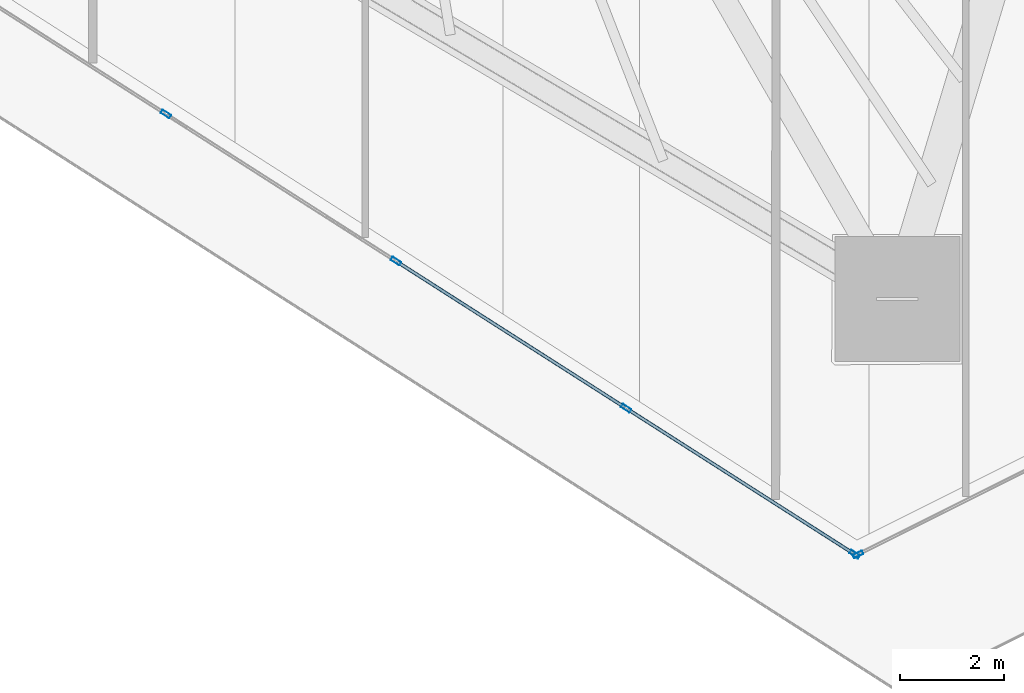
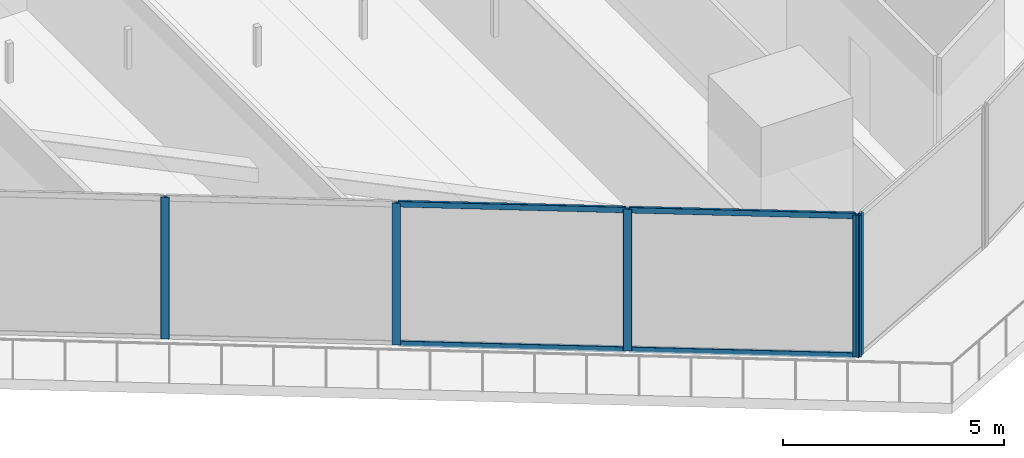
# One storey, part 6 of 47: 9 members, 2 elements without a shape of their own.
"""IFC4 building model written with IfcOpenShell, lengths in metres."""

from ifc_helpers import new_model, si_unit, direction, frame, origin, origin_2d, place, context, subcontext, project, spatial, hollow_rectangle, extrude, material, layer, layer_set, material_profile, profile_set, type_object, element, aggregate, save


model = new_model("IFC4")

# Units and contexts
model_context = context("Model", 3, precision=1e-05, world=origin(), true_north=direction((0.0, 1.0)))
body_context = subcontext(model_context, "Body", "Model", "MODEL_VIEW")
ifc_project = project(units=[si_unit("LENGTHUNIT", "METRE"), si_unit("AREAUNIT", "SQUARE_METRE"), si_unit("VOLUMEUNIT", "CUBIC_METRE"), si_unit("PLANEANGLEUNIT", "RADIAN"), si_unit("MASSUNIT", "GRAM", prefix="KILO")], contexts=[model_context])

# Site, building, storey
site_placement = place(None, origin())
site = spatial("IfcSite", under=ifc_project, at=site_placement, CompositionType="ELEMENT")
building_placement = place(site_placement, origin())
building = spatial("IfcBuilding", under=site, at=building_placement, Name="Qorvath Tower", CompositionType="ELEMENT")
storey_placement = place(building_placement, frame((0.0, 0.0, 74.39990234375)))
storey = spatial("IfcBuildingStorey", under=building, at=storey_placement, Name="L16", CompositionType="ELEMENT", Elevation=74.39990234375)

# Curtain wall, members
ifc_material_1 = material(Name="Anodised aluminium and triple low-E glass", Category="aluminium")
ifc_layer = layer(ifc_material_1, 0.179931640625)
ifc_layer_set = layer_set([ifc_layer], Name="CW-SYS-5")
curtain_wall_type = type_object("IfcCurtainWallType", Name="CW-SYS-5", PredefinedType="NOTDEFINED", material=ifc_layer_set)
curtain_wall_1_placement = place(storey_placement, origin())
curtain_wall_1 = element("IfcCurtainWall", 1, at=curtain_wall_1_placement, inside=storey, type_object=curtain_wall_type, Name="Curtain Wall CW-5 CW-T-L16-6.1", PredefinedType="NOTDEFINED")
ifc_material_2 = material(Name="Anodised aluminium 6063-T6", Category="aluminium")
ifc_material_profile_1 = material_profile(ifc_material_2, hollow_rectangle(XDim=0.074951171875, YDim=0.199951171875, WallThickness=0.00390625, InnerFilletRadius=0.00390625, OuterFilletRadius=0.008056640625, at=origin_2d()), Name="CWM 200x75")
ifc_profile_set_1 = profile_set([ifc_material_profile_1], Name="Anodised aluminium 6063-T6")
member_type_1 = type_object("IfcMemberType", Name="CWM-200", PredefinedType="MULLION", material=ifc_profile_set_1)
member_1_placement = place(storey_placement, frame((-28.4951171875, -23.780029296875, 0.0), z_axis=(0.0, 0.0, 1.0), x_axis=(0.538533177038, 0.842604306439, 0.0)))
member_1 = element("IfcMember", 2, at=member_1_placement, type_object=member_type_1, Name="CW-5 mullion 8", PredefinedType="MULLION", context=body_context, shape_type="SweptSolid", body=[
    extrude(hollow_rectangle(XDim=0.074951171875, YDim=0.199951171875, WallThickness=0.00390625, InnerFilletRadius=0.00390625, OuterFilletRadius=0.008056640625, at=origin_2d()), origin(), (0.0, 0.0, 1.0), 3.920166015625),
])
member_2_placement = place(storey_placement, frame((-24.080810546875, -26.601318359375, 0.0), z_axis=(0.0, 0.0, 1.0), x_axis=(0.538533177038, 0.842604306439, 0.0)))
member_2 = element("IfcMember", 3, at=member_2_placement, type_object=member_type_1, Name="CW-5 mullion 9", PredefinedType="MULLION", context=body_context, shape_type="SweptSolid", body=[
    extrude(hollow_rectangle(XDim=0.074951171875, YDim=0.199951171875, WallThickness=0.00390625, InnerFilletRadius=0.00390625, OuterFilletRadius=0.008056640625, at=origin_2d()), origin(), (0.0, 0.0, 1.0), 3.920166015625),
])
member_3_placement = place(storey_placement, frame((-19.666259765625, -29.4228515625, 0.0), z_axis=(0.0, 0.0, 1.0), x_axis=(0.538533177038, 0.842604306439, 0.0)))
member_3 = element("IfcMember", 4, at=member_3_placement, type_object=member_type_1, Name="CW-5 mullion 10", PredefinedType="MULLION", context=body_context, shape_type="SweptSolid", body=[
    extrude(hollow_rectangle(XDim=0.074951171875, YDim=0.199951171875, WallThickness=0.00390625, InnerFilletRadius=0.00390625, OuterFilletRadius=0.008056640625, at=origin_2d()), origin(), (0.0, 0.0, 1.0), 3.920166015625),
])
member_4_placement = place(storey_placement, frame((-15.28369140625, -32.223876953125, 0.0), z_axis=(0.0, 0.0, 1.0), x_axis=(0.538533177038, 0.842604306439, 0.0)))
member_4 = element("IfcMember", 5, at=member_4_placement, type_object=member_type_1, Name="CW-5 mullion 11", PredefinedType="MULLION", context=body_context, shape_type="SweptSolid", body=[
    extrude(hollow_rectangle(XDim=0.074951171875, YDim=0.199951171875, WallThickness=0.00390625, InnerFilletRadius=0.00390625, OuterFilletRadius=0.008056640625, at=origin_2d()), origin(), (0.0, 0.0, 1.0), 3.920166015625),
])

# Curtain wall, member
curtain_wall_2_placement = place(storey_placement, origin())
curtain_wall_2 = element("IfcCurtainWall", 6, at=curtain_wall_2_placement, inside=storey, type_object=curtain_wall_type, Name="Curtain Wall CW-5 CW-T-L16-7.1", PredefinedType="NOTDEFINED")
member_5_placement = place(storey_placement, frame((-15.218505859375, -32.227294921875, 0.0), z_axis=(0.0, 0.0, 1.0), x_axis=(-0.4472058288, 0.894431074308, 0.0)))
member_5 = element("IfcMember", 7, at=member_5_placement, type_object=member_type_1, Name="CW-5 mullion 1", PredefinedType="MULLION", context=body_context, shape_type="SweptSolid", body=[
    extrude(hollow_rectangle(XDim=0.074951171875, YDim=0.199951171875, WallThickness=0.00390625, InnerFilletRadius=0.00390625, OuterFilletRadius=0.008056640625, at=origin_2d()), origin(), (0.0, 0.0, 1.0), 3.920166015625),
])
aggregate(curtain_wall_2, [member_5])

# Member
ifc_material_3 = material(Name="Anodised aluminium 6063-T6", Category="aluminium")
ifc_material_profile_2 = material_profile(ifc_material_3, hollow_rectangle(XDim=0.06494140625, YDim=0.159912109375, WallThickness=0.00341796875, InnerFilletRadius=0.00341796875, OuterFilletRadius=0.007080078125, at=origin_2d()), Name="CWT 160x65")
ifc_profile_set_2 = profile_set([ifc_material_profile_2], Name="Anodised aluminium 6063-T6")
member_type_2 = type_object("IfcMemberType", Name="CWT-160", PredefinedType="USERDEFINED", material=ifc_profile_set_2)
member_6_placement = place(storey_placement, frame((-24.049072265625, -26.62158203125, 0.032470703125), z_axis=(0.842594952628, -0.538547811996, 0.0), x_axis=(0.538547811996, 0.842594952628, 0.0)))
member_6 = element("IfcMember", 8, at=member_6_placement, type_object=member_type_2, Name="CW-5 transom 9.1", ObjectType="TRANSOM", PredefinedType="USERDEFINED", context=body_context, shape_type="SweptSolid", body=[
    extrude(hollow_rectangle(XDim=0.06494140625, YDim=0.159912109375, WallThickness=0.00341796875, InnerFilletRadius=0.00341796875, OuterFilletRadius=0.007080078125, at=origin_2d()), origin(), (0.0, 0.0, 1.0), 5.163818359375),
])

member_7_placement = place(storey_placement, frame((-24.049072265625, -26.62158203125, 3.8876953125), z_axis=(0.842594952628, -0.538547811996, 0.0), x_axis=(0.538547811996, 0.842594952628, 0.0)))
member_7 = element("IfcMember", 9, at=member_7_placement, type_object=member_type_2, Name="CW-5 transom 9.2", ObjectType="TRANSOM", PredefinedType="USERDEFINED", context=body_context, shape_type="SweptSolid", body=[
    extrude(hollow_rectangle(XDim=0.06494140625, YDim=0.159912109375, WallThickness=0.00341796875, InnerFilletRadius=0.00341796875, OuterFilletRadius=0.007080078125, at=origin_2d()), origin(), (0.0, 0.0, 1.0), 5.163818359375),
])

member_8_placement = place(storey_placement, frame((-19.634765625, -29.44287109375, 0.032470703125), z_axis=(0.842606819938, -0.538529244326, 0.0), x_axis=(0.538529244326, 0.842606819938, 0.0)))
member_8 = element("IfcMember", 10, at=member_8_placement, type_object=member_type_2, Name="CW-5 transom 10.1", ObjectType="TRANSOM", PredefinedType="USERDEFINED", context=body_context, shape_type="SweptSolid", body=[
    extrude(hollow_rectangle(XDim=0.06494140625, YDim=0.159912109375, WallThickness=0.00341796875, InnerFilletRadius=0.00341796875, OuterFilletRadius=0.007080078125, at=origin_2d()), origin(), (0.0, 0.0, 1.0), 5.12646484375),
])

member_9_placement = place(storey_placement, frame((-19.634765625, -29.44287109375, 3.8876953125), z_axis=(0.842606819938, -0.538529244326, 0.0), x_axis=(0.538529244326, 0.842606819938, 0.0)))
member_9 = element("IfcMember", 11, at=member_9_placement, type_object=member_type_2, Name="CW-5 transom 10.2", ObjectType="TRANSOM", PredefinedType="USERDEFINED", context=body_context, shape_type="SweptSolid", body=[
    extrude(hollow_rectangle(XDim=0.06494140625, YDim=0.159912109375, WallThickness=0.00341796875, InnerFilletRadius=0.00341796875, OuterFilletRadius=0.007080078125, at=origin_2d()), origin(), (0.0, 0.0, 1.0), 5.12646484375),
])

aggregate(curtain_wall_1, [member_1, member_2, member_3, member_4, member_6, member_7, member_8, member_9])

save(model, "model.ifc")
